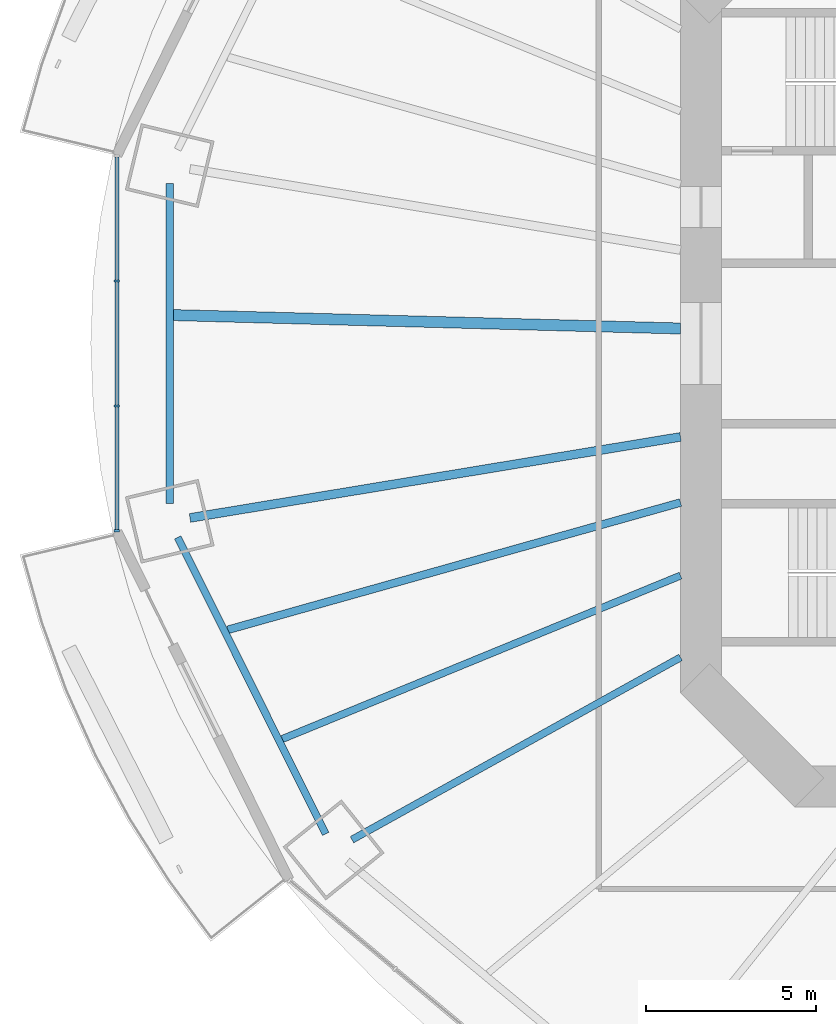
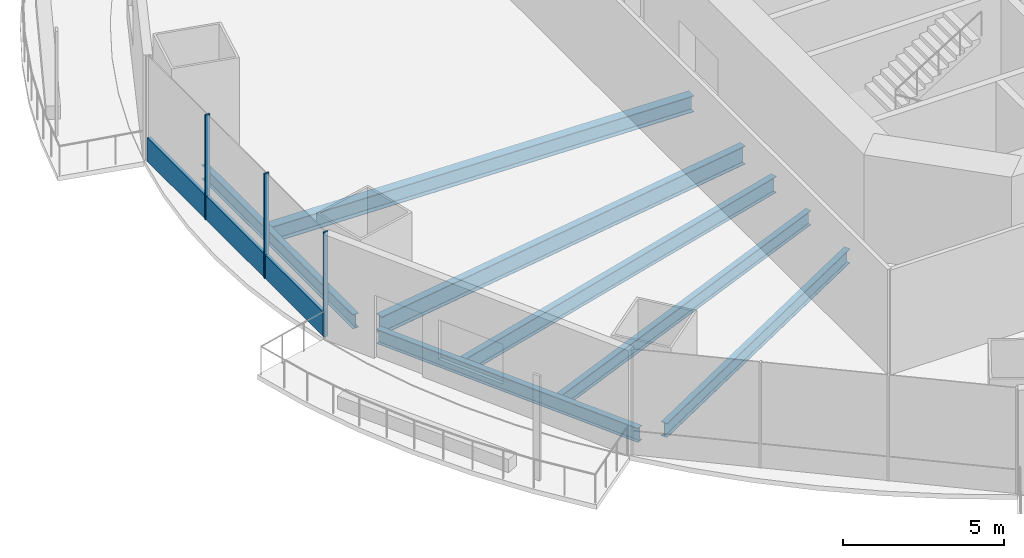
# One storey, part 3 of 21: 7 beams, 4 members, 1 element without a shape of its own.
"""IFC4 building model written with IfcOpenShell, lengths in metres."""

from ifc_helpers import new_model, si_unit, direction, frame, origin, origin_2d, place, context, subcontext, project, spatial, rectangle, i_section, extrude, material, material_profile, profile_set, type_object, element, aggregate, save


model = new_model("IFC4")

# Units and contexts
model_context = context("Model", 3, precision=1e-05, world=origin(), true_north=direction((0.0, 1.0)))
body_context = subcontext(model_context, "Body", "Model", "MODEL_VIEW")
ifc_project = project(units=[si_unit("LENGTHUNIT", "METRE"), si_unit("AREAUNIT", "SQUARE_METRE"), si_unit("VOLUMEUNIT", "CUBIC_METRE"), si_unit("PLANEANGLEUNIT", "RADIAN"), si_unit("MASSUNIT", "GRAM", prefix="KILO")], contexts=[model_context])

# Site, building, storey
site_placement = place(None, origin())
site = spatial("IfcSite", under=ifc_project, at=site_placement, CompositionType="ELEMENT")
building_placement = place(site_placement, origin())
building = spatial("IfcBuilding", under=site, at=building_placement, Name="Marenthal Gate Tower", CompositionType="ELEMENT")
storey_placement = place(building_placement, frame((0.0, 0.0, 124.300048828125)))
storey = spatial("IfcBuildingStorey", under=building, at=storey_placement, Name="L26", CompositionType="ELEMENT", Elevation=124.300048828125)

# Curtain wall, members
ifc_material_1 = material(Name="Aluminium and glass", Category="aluminium")
curtain_wall_type = type_object("IfcCurtainWallType", Name="Curtain wall typical low", PredefinedType="NOTDEFINED", material=ifc_material_1)
curtain_wall_placement = place(storey_placement, origin())
curtain_wall = element("IfcCurtainWall", 1, at=curtain_wall_placement, inside=storey, type_object=curtain_wall_type, Name="Curtain wall L26 bay 8", PredefinedType="NOTDEFINED")
ifc_material_2 = material(Name="Aluminium", Category="aluminium")
ifc_material_profile_1 = material_profile(ifc_material_2, rectangle(XDim=0.159912109375, YDim=0.06005859375, at=origin_2d()), Name="60x160 aluminium mullion")
ifc_profile_set_1 = profile_set([ifc_material_profile_1], Name="Aluminium")
member_type_1 = type_object("IfcMemberType", Name="Mullion 60x160 typical low", PredefinedType="MULLION", material=ifc_profile_set_1)
member_1_placement = place(storey_placement, frame((-33.134765625, 1.831787109375, 0.0), z_axis=(0.0, 0.0, 1.0), x_axis=(1.0, 0.0, 0.0)))
member_1 = element("IfcMember", 2, at=member_1_placement, type_object=member_type_1, Name="Mullion L26 bay 8.2", PredefinedType="MULLION", context=body_context, shape_type="SweptSolid", body=[
    extrude(rectangle(XDim=0.159912109375, YDim=0.06005859375, at=origin_2d()), origin(), (0.0, 0.0, 1.0), 3.969970703125),
])
member_2_placement = place(storey_placement, frame((-33.134765625, -1.831787109375, 0.0), z_axis=(0.0, 0.0, 1.0), x_axis=(1.0, 0.0, 0.0)))
member_2 = element("IfcMember", 3, at=member_2_placement, type_object=member_type_1, Name="Mullion L26 bay 8.3", PredefinedType="MULLION", context=body_context, shape_type="SweptSolid", body=[
    extrude(rectangle(XDim=0.159912109375, YDim=0.06005859375, at=origin_2d()), origin(), (0.0, 0.0, 1.0), 3.969970703125),
])
member_3_placement = place(storey_placement, frame((-33.134765625, -5.495361328125, 0.0), z_axis=(0.0, 0.0, 1.0), x_axis=(1.0, 0.0, 0.0)))
member_3 = element("IfcMember", 4, at=member_3_placement, type_object=member_type_1, Name="Mullion L26 bay 8.4", PredefinedType="MULLION", context=body_context, shape_type="SweptSolid", body=[
    extrude(rectangle(XDim=0.159912109375, YDim=0.06005859375, at=origin_2d()), origin(), (0.0, 0.0, 1.0), 3.969970703125),
])
ifc_material_3 = material(Name="Aluminium", Category="aluminium")
ifc_material_profile_2 = material_profile(ifc_material_3, rectangle(XDim=0.1201171875, YDim=0.89990234375, at=origin_2d()), Name="120x900 aluminium transom")
ifc_profile_set_2 = profile_set([ifc_material_profile_2], Name="Aluminium")
member_type_2 = type_object("IfcMemberType", Name="Transom 120x900 typical low", PredefinedType="USERDEFINED", material=ifc_profile_set_2)
member_4_placement = place(storey_placement, frame((-33.134765625, 5.46533203125, 0.449951171875), z_axis=(0.0, -1.0, 0.0), x_axis=(1.0, 0.0, 0.0)))
member_4 = element("IfcMember", 5, at=member_4_placement, type_object=member_type_2, Name="Transom L26 bay 8", ObjectType="TRANSOM", PredefinedType="USERDEFINED", context=body_context, shape_type="SweptSolid", body=[
    extrude(rectangle(XDim=0.1201171875, YDim=0.89990234375, at=origin_2d()), origin(), (0.0, 0.0, 1.0), 10.9306640625),
])
aggregate(curtain_wall, [member_1, member_2, member_3, member_4])

# Beams
ifc_material_4 = material(Name="Steel S355", Category="steel")
ifc_material_profile_3 = material_profile(ifc_material_4, i_section(OverallWidth=0.2119140625, OverallDepth=0.5439453125, WebThickness=0.01318359375, FlangeThickness=0.021240234375, FilletRadius=0.0126953125, at=origin_2d()), Name="W530X123")
ifc_profile_set_3 = profile_set([ifc_material_profile_3], Name="Steel S355")
beam_type_1 = type_object("IfcBeamType", Name="W530X123 beam", PredefinedType="BEAM", material=ifc_profile_set_3)
beam_1_placement = place(storey_placement, frame((-26.23779296875, -14.55810546875, -0.4521484375), z_axis=(0.874421492378, 0.485167036872, 0.0), x_axis=(-0.485167036872, 0.874421492378, 0.0)))
element("IfcBeam", 6, at=beam_1_placement, inside=storey, type_object=beam_type_1, Name="BM-L26-10", PredefinedType="BEAM", context=body_context, shape_type="SweptSolid", body=[
    extrude(i_section(OverallWidth=0.2119140625, OverallDepth=0.5439453125, WebThickness=0.01318359375, FlangeThickness=0.021240234375, FilletRadius=0.0126953125, at=origin_2d()), origin(), (0.0, 0.0, 1.0), 11.021728515625),
])
beam_2_placement = place(storey_placement, frame((-28.281005859375, -11.603515625, -0.4521484375), z_axis=(0.925153122317, 0.379594125702, 0.0), x_axis=(-0.379594125702, 0.925153122317, 0.0)))
element("IfcBeam", 7, at=beam_2_placement, inside=storey, type_object=beam_type_1, Name="BM-L26-30", PredefinedType="BEAM", context=body_context, shape_type="SweptSolid", body=[
    extrude(i_section(OverallWidth=0.2119140625, OverallDepth=0.5439453125, WebThickness=0.01318359375, FlangeThickness=0.021240234375, FilletRadius=0.0126953125, at=origin_2d()), origin(), (0.0, 0.0, 1.0), 12.6259765625),
])
beam_3_placement = place(storey_placement, frame((-31.585205078125, 4.688720703125, -0.4521484375), z_axis=(0.0, -1.0, 0.0), x_axis=(1.0, 0.0, 0.0)))
element("IfcBeam", 8, at=beam_3_placement, inside=storey, type_object=beam_type_1, Name="BM-L26-48", PredefinedType="BEAM", context=body_context, shape_type="SweptSolid", body=[
    extrude(i_section(OverallWidth=0.2119140625, OverallDepth=0.5439453125, WebThickness=0.01318359375, FlangeThickness=0.021240234375, FilletRadius=0.0126953125, at=origin_2d()), origin(), (0.0, 0.0, 1.0), 9.37744140625),
])
beam_4_placement = place(storey_placement, frame((-31.35009765625, -5.688232421875, -0.4521484375), z_axis=(0.446359643577, -0.894853657637, 0.0), x_axis=(0.894853657637, 0.446359643577, 0.0)))
element("IfcBeam", 9, at=beam_4_placement, inside=storey, type_object=beam_type_1, Name="BM-L26-49", PredefinedType="BEAM", context=body_context, shape_type="SweptSolid", body=[
    extrude(i_section(OverallWidth=0.2119140625, OverallDepth=0.5439453125, WebThickness=0.01318359375, FlangeThickness=0.021240234375, FilletRadius=0.0126953125, at=origin_2d()), origin(), (0.0, 0.0, 1.0), 9.72265625),
])
ifc_material_5 = material(Name="Steel S355", Category="steel")
ifc_material_profile_4 = material_profile(ifc_material_5, i_section(OverallWidth=0.22900390625, OverallDepth=0.612060546875, WebThickness=0.011962890625, FlangeThickness=0.01953125, FilletRadius=0.0126953125, at=origin_2d()), Name="W610X125")
ifc_profile_set_4 = profile_set([ifc_material_profile_4], Name="Steel S355")
beam_type_2 = type_object("IfcBeamType", Name="W610X125 beam", PredefinedType="BEAM", material=ifc_profile_set_4)
beam_5_placement = place(storey_placement, frame((-29.87841796875, -8.401123046875, -0.486083984375), z_axis=(0.962667661215, 0.270686117213, 0.0), x_axis=(-0.270686117213, 0.962667661215, 0.0)))
element("IfcBeam", 10, at=beam_5_placement, inside=storey, type_object=beam_type_2, Name="BM-L26-29", PredefinedType="BEAM", context=body_context, shape_type="SweptSolid", body=[
    extrude(i_section(OverallWidth=0.22900390625, OverallDepth=0.612060546875, WebThickness=0.011962890625, FlangeThickness=0.01953125, FilletRadius=0.0126953125, at=origin_2d()), origin(), (0.0, 0.0, 1.0), 13.793212890625),
])
ifc_material_6 = material(Name="Steel S355", Category="steel")
ifc_material_profile_5 = material_profile(ifc_material_6, i_section(OverallWidth=0.324951171875, OverallDepth=0.612060546875, WebThickness=0.0126953125, FlangeThickness=0.01904296875, FilletRadius=0.0126953125, at=origin_2d()), Name="W610X155")
ifc_profile_set_5 = profile_set([ifc_material_profile_5], Name="Steel S355")
beam_type_3 = type_object("IfcBeamType", Name="W610X155 beam", PredefinedType="BEAM", material=ifc_profile_set_5)
beam_6_placement = place(storey_placement, frame((-31.479248046875, 0.831787109375, -0.486083984375), z_axis=(0.999651246677, -0.026408048358, 0.0), x_axis=(0.026408048358, 0.999651246677, 0.0)))
element("IfcBeam", 11, at=beam_6_placement, inside=storey, type_object=beam_type_3, Name="BM-L26-28", PredefinedType="BEAM", context=body_context, shape_type="SweptSolid", body=[
    extrude(i_section(OverallWidth=0.324951171875, OverallDepth=0.612060546875, WebThickness=0.0126953125, FlangeThickness=0.01904296875, FilletRadius=0.0126953125, at=origin_2d()), origin(), (0.0, 0.0, 1.0), 14.88427734375),
])
ifc_material_7 = material(Name="Steel S355", Category="steel")
ifc_material_profile_6 = material_profile(ifc_material_7, i_section(OverallWidth=0.257080078125, OverallDepth=0.693115234375, WebThickness=0.014404296875, FlangeThickness=0.023681640625, FilletRadius=0.015380859375, at=origin_2d()), Name="W690X170")
ifc_profile_set_6 = profile_set([ifc_material_profile_6], Name="Steel S355")
beam_type_4 = type_object("IfcBeamType", Name="W690X170 beam", PredefinedType="BEAM", material=ifc_profile_set_6)
beam_7_placement = place(storey_placement, frame((-30.990478515625, -5.118896484375, -0.526611328125), z_axis=(0.986631300462, 0.162968331122, 0.0), x_axis=(-0.162968331122, 0.986631300462, 0.0)))
element("IfcBeam", 12, at=beam_7_placement, inside=storey, type_object=beam_type_4, Name="BM-L26-09", PredefinedType="BEAM", context=body_context, shape_type="SweptSolid", body=[
    extrude(i_section(OverallWidth=0.257080078125, OverallDepth=0.693115234375, WebThickness=0.014404296875, FlangeThickness=0.023681640625, FilletRadius=0.015380859375, at=origin_2d()), origin(), (0.0, 0.0, 1.0), 14.58544921875),
])

save(model, "model.ifc")
